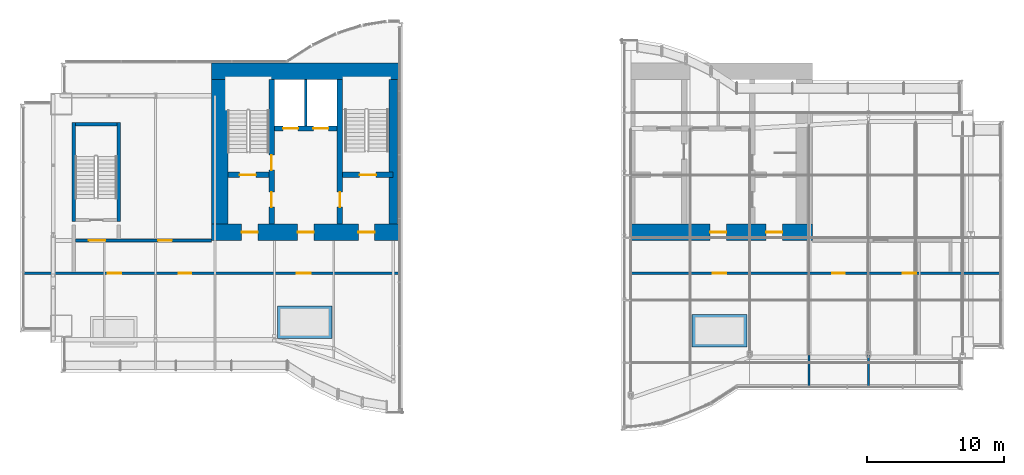
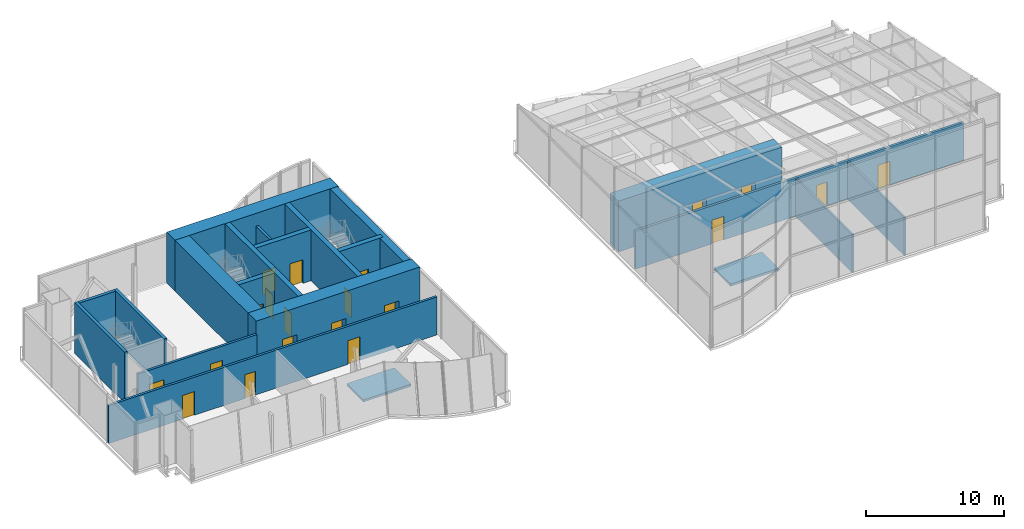
# One storey, part 13 of 17: 21 walls, 20 doors, 20 openings.
"""IFC4 building model written with IfcOpenShell, lengths in metres."""

from ifc_helpers import new_model, si_unit, direction, frame, frame_2d, origin, origin_2d, place, context, subcontext, project, spatial, rectangle, extrude, material, layer, layer_set, type_object, element, fill, save


model = new_model("IFC4")

# Units and contexts
model_context = context("Model", 3, precision=1e-05, world=origin(), true_north=direction((0.0, 1.0)))
body_context = subcontext(model_context, "Body", "Model", "MODEL_VIEW")
ifc_project = project(units=[si_unit("LENGTHUNIT", "METRE"), si_unit("AREAUNIT", "SQUARE_METRE"), si_unit("VOLUMEUNIT", "CUBIC_METRE"), si_unit("PLANEANGLEUNIT", "RADIAN"), si_unit("MASSUNIT", "GRAM", prefix="KILO")], contexts=[model_context])

# Site, building, storey
site_placement = place(None, origin())
site = spatial("IfcSite", under=ifc_project, at=site_placement, CompositionType="ELEMENT")
building_placement = place(site_placement, origin())
building = spatial("IfcBuilding", under=site, at=building_placement, Name="Bicima Exchange Tower", CompositionType="ELEMENT")
storey_placement = place(building_placement, frame((0.0, 0.0, 356.89990234375)))
storey = spatial("IfcBuildingStorey", under=building, at=storey_placement, Name="L80", CompositionType="ELEMENT", Elevation=356.89990234375)

# Wall
ifc_material_1 = material(Name="Gypsum board partition")
ifc_layer_1 = layer(ifc_material_1, 0.199951171875)
ifc_layer_set_1 = layer_set([ifc_layer_1], Name="Gypsum board partition")
wall_type_1 = type_object("IfcWallType", Name="Fire-rated gypsum partition 200 EI120", PredefinedType="PARTITIONING", material=ifc_layer_set_1)
wall_1_placement = place(storey_placement, frame((-15.10009765625, -4.60009765625, 0.0), z_axis=(0.0, 0.0, 1.0), x_axis=(0.0, 1.0, 0.0)))
element("IfcWall", 1, at=wall_1_placement, inside=storey, type_object=wall_type_1, Name="partition wall 8", PredefinedType="PARTITIONING", context=body_context, shape_type="SweptSolid", body=[
    extrude(rectangle(XDim=3.400146484375, YDim=0.199951171875, at=frame_2d((1.7001953125, 0.0))), origin(), (0.0, 0.0, 1.0), 3.368408203125),
])

# Wall, openings, doors
ifc_layer_2 = layer(ifc_material_1, 0.199951171875)
ifc_layer_set_2 = layer_set([ifc_layer_2], Name="Gypsum board partition")
wall_type_2 = type_object("IfcWallType", Name="Fire-rated gypsum partition 200 EI60", PredefinedType="PARTITIONING", material=ifc_layer_set_2)
wall_2_placement = place(storey_placement, frame((-35.7900390625, -15.39990234375, 0.0), z_axis=(0.0, 0.0, 1.0), x_axis=(1.0, 0.0, 0.0)))
wall_2 = element("IfcWall", 2, at=wall_2_placement, inside=storey, type_object=wall_type_2, Name="partition wall 1", PredefinedType="PARTITIONING", context=body_context, shape_type="SweptSolid", body=[
    extrude(rectangle(XDim=27.489990234375, YDim=0.199951171875, at=frame_2d((13.7451171875, 0.0))), origin(), (0.0, 0.0, 1.0), 3.368408203125),
])
opening_1_placement = place(wall_2_placement, frame((6.18994140625, 0.0, 0.0)))
opening_1 = element("IfcOpeningElement", 3, at=opening_1_placement, cuts=wall_2, Name="Opening L80-004", PredefinedType="OPENING", context=body_context, shape_type="SweptSolid", body=[
    extrude(rectangle(XDim=1.0, YDim=2.10009765625, at=frame_2d((0.5, 1.050048828125))), frame((0.0, 0.11181640625, 0.0), z_axis=(0.0, -1.0, 0.0), x_axis=(1.0, 0.0, 0.0)), (0.0, 0.0, 1.0), 0.223876953125),
])
opening_2_placement = place(wall_2_placement, frame((11.389892578125, 0.0, 0.0)))
opening_2 = element("IfcOpeningElement", 4, at=opening_2_placement, cuts=wall_2, Name="Opening L80-005", PredefinedType="OPENING", context=body_context, shape_type="SweptSolid", body=[
    extrude(rectangle(XDim=0.89990234375, YDim=2.10009765625, at=frame_2d((0.449951171875, 1.050048828125))), frame((0.0, 0.11181640625, 0.0), z_axis=(0.0, -1.0, 0.0), x_axis=(1.0, 0.0, 0.0)), (0.0, 0.0, 1.0), 0.223876953125),
])
opening_3_placement = place(wall_2_placement, frame((20.0400390625, 0.0, 0.0)))
opening_3 = element("IfcOpeningElement", 5, at=opening_3_placement, cuts=wall_2, Name="Opening L80-006", PredefinedType="OPENING", context=body_context, shape_type="SweptSolid", body=[
    extrude(rectangle(XDim=1.0, YDim=2.10009765625, at=frame_2d((0.5, 1.050048828125))), frame((0.0, 0.11181640625, 0.0), z_axis=(0.0, -1.0, 0.0), x_axis=(1.0, 0.0, 0.0)), (0.0, 0.0, 1.0), 0.223876953125),
])
ifc_material_2 = material(Name="Steel fire door leaf", Category="steel")
door_type_1 = type_object("IfcDoorType", Name="Door 1000 swing FD30S", OperationType="SINGLE_SWING_LEFT", PredefinedType="DOOR", material=ifc_material_2)
door_1_placement = place(opening_1_placement, frame((1.0, 0.0, 0.0), z_axis=(0.0, 0.0, 1.0), x_axis=(-1.0, 0.0, 0.0)))
door_1 = element("IfcDoor", 6, at=door_1_placement, inside=storey, type_object=door_type_1, Name="Door", OperationType="SINGLE_SWING_LEFT", OverallHeight=2.10009765625, OverallWidth=1.0, PredefinedType="DOOR", context=body_context, shape_type="SweptSolid", body=[
    extrude(rectangle(XDim=1.0, YDim=2.10009765625, at=frame_2d((0.5, 1.050048828125))), frame((0.0, 0.02490234375, 0.0), z_axis=(0.0, -1.0, 0.0), x_axis=(1.0, 0.0, 0.0)), (0.0, 0.0, 1.0), 0.050048828125),
])
fill(opening_1, door_1)
door_2_placement = place(opening_3_placement, frame((1.0, 0.0, 0.0), z_axis=(0.0, 0.0, 1.0), x_axis=(-1.0, 0.0, 0.0)))
door_2 = element("IfcDoor", 7, at=door_2_placement, inside=storey, type_object=door_type_1, Name="Door", OperationType="SINGLE_SWING_RIGHT", OverallHeight=2.10009765625, OverallWidth=1.0, PredefinedType="DOOR", context=body_context, shape_type="SweptSolid", body=[
    extrude(rectangle(XDim=1.0, YDim=2.10009765625, at=frame_2d((0.5, 1.050048828125))), frame((0.0, 0.02490234375, 0.0), z_axis=(0.0, -1.0, 0.0), x_axis=(1.0, 0.0, 0.0)), (0.0, 0.0, 1.0), 0.050048828125),
])
fill(opening_3, door_2)
door_type_2 = type_object("IfcDoorType", Name="Door 900 swing FD30S", OperationType="SINGLE_SWING_LEFT", PredefinedType="DOOR", material=ifc_material_2)
door_3_placement = place(opening_2_placement, frame((0.89990234375, 0.0, 0.0), z_axis=(0.0, 0.0, 1.0), x_axis=(-1.0, 0.0, 0.0)))
door_3 = element("IfcDoor", 8, at=door_3_placement, inside=storey, type_object=door_type_2, Name="Door", OperationType="SINGLE_SWING_RIGHT", OverallHeight=2.10009765625, OverallWidth=0.89990234375, PredefinedType="DOOR", context=body_context, shape_type="SweptSolid", body=[
    extrude(rectangle(XDim=0.89990234375, YDim=2.10009765625, at=frame_2d((0.449951171875, 1.050048828125))), frame((0.0, 0.02490234375, 0.0), z_axis=(0.0, -1.0, 0.0), x_axis=(1.0, 0.0, 0.0)), (0.0, 0.0, 1.0), 0.050048828125),
])
fill(opening_2, door_3)

wall_3_placement = place(storey_placement, frame((8.300048828125, -15.39990234375, 0.0), z_axis=(0.0, 0.0, 1.0), x_axis=(1.0, 0.0, 0.0)))
wall_3 = element("IfcWall", 9, at=wall_3_placement, inside=storey, type_object=wall_type_2, Name="partition wall 2", PredefinedType="PARTITIONING", context=body_context, shape_type="SweptSolid", body=[
    extrude(rectangle(XDim=27.489990234375, YDim=0.199951171875, at=frame_2d((13.7451171875, 0.0))), origin(), (0.0, 0.0, 1.0), 3.368408203125),
])
opening_4_placement = place(wall_3_placement, frame((6.39990234375, 0.0, 0.0)))
opening_4 = element("IfcOpeningElement", 10, at=opening_4_placement, cuts=wall_3, Name="Opening L80-008", PredefinedType="OPENING", context=body_context, shape_type="SweptSolid", body=[
    extrude(rectangle(XDim=1.0, YDim=2.10009765625, at=frame_2d((0.5, 1.050048828125))), frame((0.0, 0.11181640625, 0.0), z_axis=(0.0, -1.0, 0.0), x_axis=(1.0, 0.0, 0.0)), (0.0, 0.0, 1.0), 0.223876953125),
])
opening_5_placement = place(wall_3_placement, frame((15.14990234375, 0.0, 0.0)))
opening_5 = element("IfcOpeningElement", 11, at=opening_5_placement, cuts=wall_3, Name="Opening L80-009", PredefinedType="OPENING", context=body_context, shape_type="SweptSolid", body=[
    extrude(rectangle(XDim=0.89990234375, YDim=2.10009765625, at=frame_2d((0.449951171875, 1.050048828125))), frame((0.0, 0.11181640625, 0.0), z_axis=(0.0, -1.0, 0.0), x_axis=(1.0, 0.0, 0.0)), (0.0, 0.0, 1.0), 0.223876953125),
])
opening_6_placement = place(wall_3_placement, frame((20.300048828125, 0.0, 0.0)))
opening_6 = element("IfcOpeningElement", 12, at=opening_6_placement, cuts=wall_3, Name="Opening L80-010", PredefinedType="OPENING", context=body_context, shape_type="SweptSolid", body=[
    extrude(rectangle(XDim=1.0, YDim=2.10009765625, at=frame_2d((0.5, 1.050048828125))), frame((0.0, 0.11181640625, 0.0), z_axis=(0.0, -1.0, 0.0), x_axis=(1.0, 0.0, 0.0)), (0.0, 0.0, 1.0), 0.223876953125),
])
door_4_placement = place(opening_4_placement, frame((1.0, 0.0, 0.0), z_axis=(0.0, 0.0, 1.0), x_axis=(-1.0, 0.0, 0.0)))
door_4 = element("IfcDoor", 13, at=door_4_placement, inside=storey, type_object=door_type_1, Name="Door", OperationType="SINGLE_SWING_RIGHT", OverallHeight=2.10009765625, OverallWidth=1.0, PredefinedType="DOOR", context=body_context, shape_type="SweptSolid", body=[
    extrude(rectangle(XDim=1.0, YDim=2.10009765625, at=frame_2d((0.5, 1.050048828125))), frame((0.0, 0.02490234375, 0.0), z_axis=(0.0, -1.0, 0.0), x_axis=(1.0, 0.0, 0.0)), (0.0, 0.0, 1.0), 0.050048828125),
])
fill(opening_4, door_4)
door_5_placement = place(opening_6_placement, frame((1.0, 0.0, 0.0), z_axis=(0.0, 0.0, 1.0), x_axis=(-1.0, 0.0, 0.0)))
door_5 = element("IfcDoor", 14, at=door_5_placement, inside=storey, type_object=door_type_1, Name="Door", OperationType="SINGLE_SWING_LEFT", OverallHeight=2.10009765625, OverallWidth=1.0, PredefinedType="DOOR", context=body_context, shape_type="SweptSolid", body=[
    extrude(rectangle(XDim=1.0, YDim=2.10009765625, at=frame_2d((0.5, 1.050048828125))), frame((0.0, 0.02490234375, 0.0), z_axis=(0.0, -1.0, 0.0), x_axis=(1.0, 0.0, 0.0)), (0.0, 0.0, 1.0), 0.050048828125),
])
fill(opening_6, door_5)
door_6_placement = place(opening_5_placement, frame((0.89990234375, 0.0, 0.0), z_axis=(0.0, 0.0, 1.0), x_axis=(-1.0, 0.0, 0.0)))
door_6 = element("IfcDoor", 15, at=door_6_placement, inside=storey, type_object=door_type_2, Name="Door", OperationType="SINGLE_SWING_RIGHT", OverallHeight=2.10009765625, OverallWidth=0.89990234375, PredefinedType="DOOR", context=body_context, shape_type="SweptSolid", body=[
    extrude(rectangle(XDim=0.89990234375, YDim=2.10009765625, at=frame_2d((0.449951171875, 1.050048828125))), frame((0.0, 0.02490234375, 0.0), z_axis=(0.0, -1.0, 0.0), x_axis=(1.0, 0.0, 0.0)), (0.0, 0.0, 1.0), 0.050048828125),
])
fill(opening_5, door_6)

wall_4_placement = place(storey_placement, frame((-31.97509765625, -13.0, 0.0), z_axis=(0.0, 0.0, 1.0), x_axis=(1.0, 0.0, 0.0)))
wall_4 = element("IfcWall", 16, at=wall_4_placement, inside=storey, type_object=wall_type_2, Name="partition wall 3", PredefinedType="PARTITIONING", context=body_context, shape_type="SweptSolid", body=[
    extrude(rectangle(XDim=9.97509765625, YDim=0.199951171875, at=frame_2d((4.987548828125, 0.0))), origin(), (0.0, 0.0, 1.0), 3.368408203125),
])
opening_7_placement = place(wall_4_placement, frame((1.0, 0.0, 0.0)))
opening_7 = element("IfcOpeningElement", 17, at=opening_7_placement, cuts=wall_4, Name="Opening L80-001", PredefinedType="OPENING", context=body_context, shape_type="SweptSolid", body=[
    extrude(rectangle(XDim=1.199951171875, YDim=2.10009765625, at=frame_2d((0.60009765625, 1.050048828125))), frame((0.0, 0.11181640625, 0.0), z_axis=(0.0, -1.0, 0.0), x_axis=(1.0, 0.0, 0.0)), (0.0, 0.0, 1.0), 0.223876953125),
])
opening_8_placement = place(wall_4_placement, frame((6.074951171875, 0.0, 0.0)))
opening_8 = element("IfcOpeningElement", 18, at=opening_8_placement, cuts=wall_4, Name="Opening L80-003", PredefinedType="OPENING", context=body_context, shape_type="SweptSolid", body=[
    extrude(rectangle(XDim=1.0, YDim=2.10009765625, at=frame_2d((0.5, 1.050048828125))), frame((0.0, 0.11181640625, 0.0), z_axis=(0.0, -1.0, 0.0), x_axis=(1.0, 0.0, 0.0)), (0.0, 0.0, 1.0), 0.223876953125),
])
door_7_placement = place(opening_8_placement, origin())
door_7 = element("IfcDoor", 19, at=door_7_placement, inside=storey, type_object=door_type_1, Name="Door", OperationType="SINGLE_SWING_RIGHT", OverallHeight=2.10009765625, OverallWidth=1.0, PredefinedType="DOOR", context=body_context, shape_type="SweptSolid", body=[
    extrude(rectangle(XDim=1.0, YDim=2.10009765625, at=frame_2d((0.5, 1.050048828125))), frame((0.0, 0.02490234375, 0.0), z_axis=(0.0, -1.0, 0.0), x_axis=(1.0, 0.0, 0.0)), (0.0, 0.0, 1.0), 0.050048828125),
])
fill(opening_8, door_7)
door_type_3 = type_object("IfcDoorType", Name="Door 1200 swing FD30S", OperationType="SINGLE_SWING_LEFT", PredefinedType="DOOR", material=ifc_material_2)
door_8_placement = place(opening_7_placement, origin())
door_8 = element("IfcDoor", 20, at=door_8_placement, inside=storey, type_object=door_type_3, Name="Door", OperationType="SINGLE_SWING_LEFT", OverallHeight=2.10009765625, OverallWidth=1.199951171875, PredefinedType="DOOR", context=body_context, shape_type="SweptSolid", body=[
    extrude(rectangle(XDim=1.199951171875, YDim=2.10009765625, at=frame_2d((0.60009765625, 1.050048828125))), frame((0.0, 0.02490234375, 0.0), z_axis=(0.0, -1.0, 0.0), x_axis=(1.0, 0.0, 0.0)), (0.0, 0.0, 1.0), 0.050048828125),
])
fill(opening_7, door_8)

# Walls
ifc_layer_3 = layer(ifc_material_1, 0.14990234375)
ifc_layer_set_3 = layer_set([ifc_layer_3], Name="Gypsum board partition")
wall_type_3 = type_object("IfcWallType", Name="Gypsum partition 150", PredefinedType="PARTITIONING", material=ifc_layer_set_3)
for number, where, z_axis, x_axis, name in (
    (21, (21.75, -23.72998046875, 0.0), (0.0, 0.0, 1.0), (0.0, 1.0, 0.0), "partition wall 11"),
    (22, (26.10009765625, -23.72998046875, 0.0), (0.0, 0.0, 1.0), (0.0, 1.0, 0.0), "partition wall 12"),
):
    element("IfcWall", number, at=place(storey_placement, frame(where, z_axis=z_axis, x_axis=x_axis)), inside=storey, type_object=wall_type_3, Name=name, PredefinedType="PARTITIONING", context=body_context, shape_type="SweptSolid", body=[
        extrude(rectangle(XDim=8.22998046875, YDim=0.14990234375, at=frame_2d((4.114990234375, 0.0))), origin(), (0.0, 0.0, 1.0), 3.368408203125),
    ])
ifc_material_3 = material(Name="Concrete C40/50", Category="concrete")
ifc_layer_4 = layer(ifc_material_3, 0.2)
ifc_layer_set_4 = layer_set([ifc_layer_4], Name="Concrete C40/50")
wall_type_4 = type_object("IfcWallType", Name="Plant plinth 200", PredefinedType="USERDEFINED", material=ifc_layer_set_4)
for number, where, z_axis, x_axis, name in (
    (23, (-15.18505859375, -18.985107421875, 0.0), (0.0, 0.0, 1.0), (1.0, 0.0, 0.0), "Plant plinth Water treatment skid"),
    (24, (15.18994140625, -19.614990234375, 0.0), (0.0, 0.0, 1.0), (1.0, 0.0, 0.0), "Plant plinth Water treatment skid"),
):
    element("IfcWall", number, at=place(storey_placement, frame(where, z_axis=z_axis, x_axis=x_axis)), inside=storey, type_object=wall_type_4, Name=name, ObjectType="PLINTH", PredefinedType="USERDEFINED", context=body_context, shape_type="SweptSolid", body=[
        extrude(rectangle(XDim=4.0, YDim=2.39990234375, at=origin_2d()), origin(), (0.0, 0.0, 1.0), 0.199951171875),
    ])
ifc_layer_5 = layer(ifc_material_3, 1.199951171875)
ifc_layer_set_5 = layer_set([ifc_layer_5], Name="Concrete C40/50")
wall_type_5 = type_object("IfcWallType", Name="RC core wall 1200 C40/50", PredefinedType="SHEAR", material=ifc_layer_set_5)
wall_5_placement = place(storey_placement, frame((-22.0, -0.60009765625, 0.0), z_axis=(0.0, 0.0, 1.0), x_axis=(1.0, 0.0, 0.0)))
element("IfcWall", 25, at=wall_5_placement, inside=storey, type_object=wall_type_5, Name="Core wall north-W", PredefinedType="SHEAR", context=body_context, shape_type="SweptSolid", body=[
    extrude(rectangle(XDim=13.699951171875, YDim=1.199951171875, at=frame_2d((6.85009765625, 0.0))), origin(), (0.0, 0.0, 1.0), 4.5),
])

# Wall, openings, doors
wall_6_placement = place(storey_placement, frame((-22.0, -12.39990234375, 0.0), z_axis=(0.0, 0.0, 1.0), x_axis=(1.0, 0.0, 0.0)))
wall_6 = element("IfcWall", 26, at=wall_6_placement, inside=storey, type_object=wall_type_5, Name="Core wall south-W", PredefinedType="SHEAR", context=body_context, shape_type="SweptSolid", body=[
    extrude(rectangle(XDim=13.699951171875, YDim=1.199951171875, at=frame_2d((6.85009765625, 0.0))), origin(), (0.0, 0.0, 1.0), 4.5),
])
opening_9_placement = place(wall_6_placement, frame((2.199951171875, 0.0, 0.0)))
opening_9 = element("IfcOpeningElement", 27, at=opening_9_placement, cuts=wall_6, Name="Opening L80-C12", PredefinedType="OPENING", context=body_context, shape_type="SweptSolid", body=[
    extrude(rectangle(XDim=1.199951171875, YDim=2.10009765625, at=frame_2d((0.60009765625, 1.050048828125))), frame((0.0, 0.61181640625, 0.0), z_axis=(0.0, -1.0, 0.0), x_axis=(1.0, 0.0, 0.0)), (0.0, 0.0, 1.0), 1.223876953125),
])
opening_10_placement = place(wall_6_placement, frame((10.75, 0.0, 0.0)))
opening_10 = element("IfcOpeningElement", 28, at=opening_10_placement, cuts=wall_6, Name="Opening L80-C14", PredefinedType="OPENING", context=body_context, shape_type="SweptSolid", body=[
    extrude(rectangle(XDim=1.199951171875, YDim=2.10009765625, at=frame_2d((0.60009765625, 1.050048828125))), frame((0.0, 0.61181640625, 0.0), z_axis=(0.0, -1.0, 0.0), x_axis=(1.0, 0.0, 0.0)), (0.0, 0.0, 1.0), 1.223876953125),
])
opening_11_placement = place(wall_6_placement, frame((6.300048828125, 0.0, 0.0)))
opening_11 = element("IfcOpeningElement", 29, at=opening_11_placement, cuts=wall_6, Name="Opening L80-C15", PredefinedType="OPENING", context=body_context, shape_type="SweptSolid", body=[
    extrude(rectangle(XDim=1.199951171875, YDim=2.10009765625, at=frame_2d((0.60009765625, 1.050048828125))), frame((0.0, 0.61181640625, 0.0), z_axis=(0.0, -1.0, 0.0), x_axis=(1.0, 0.0, 0.0)), (0.0, 0.0, 1.0), 1.223876953125),
])
door_type_4 = type_object("IfcDoorType", Name="Door 1200 swing FD60S", OperationType="SINGLE_SWING_LEFT", PredefinedType="DOOR", material=ifc_material_2)
door_9_placement = place(opening_9_placement, frame((1.199951171875, 0.0, 0.0), z_axis=(0.0, 0.0, 1.0), x_axis=(-1.0, 0.0, 0.0)))
door_9 = element("IfcDoor", 30, at=door_9_placement, inside=storey, type_object=door_type_4, Name="Core door", OperationType="SINGLE_SWING_RIGHT", OverallHeight=2.10009765625, OverallWidth=1.199951171875, PredefinedType="DOOR", context=body_context, shape_type="SweptSolid", body=[
    extrude(rectangle(XDim=1.199951171875, YDim=2.10009765625, at=frame_2d((0.60009765625, 1.050048828125))), frame((0.0, 0.02490234375, 0.0), z_axis=(0.0, -1.0, 0.0), x_axis=(1.0, 0.0, 0.0)), (0.0, 0.0, 1.0), 0.050048828125),
])
fill(opening_9, door_9)
door_10_placement = place(opening_10_placement, frame((1.199951171875, 0.0, 0.0), z_axis=(0.0, 0.0, 1.0), x_axis=(-1.0, 0.0, 0.0)))
door_10 = element("IfcDoor", 31, at=door_10_placement, inside=storey, type_object=door_type_4, Name="Core door", OperationType="SINGLE_SWING_RIGHT", OverallHeight=2.10009765625, OverallWidth=1.199951171875, PredefinedType="DOOR", context=body_context, shape_type="SweptSolid", body=[
    extrude(rectangle(XDim=1.199951171875, YDim=2.10009765625, at=frame_2d((0.60009765625, 1.050048828125))), frame((0.0, 0.02490234375, 0.0), z_axis=(0.0, -1.0, 0.0), x_axis=(1.0, 0.0, 0.0)), (0.0, 0.0, 1.0), 0.050048828125),
])
fill(opening_10, door_10)
door_11_placement = place(opening_11_placement, frame((1.199951171875, 0.0, 0.0), z_axis=(0.0, 0.0, 1.0), x_axis=(-1.0, 0.0, 0.0)))
door_11 = element("IfcDoor", 32, at=door_11_placement, inside=storey, type_object=door_type_4, Name="Core door", OperationType="SINGLE_SWING_RIGHT", OverallHeight=2.10009765625, OverallWidth=1.199951171875, PredefinedType="DOOR", context=body_context, shape_type="SweptSolid", body=[
    extrude(rectangle(XDim=1.199951171875, YDim=2.10009765625, at=frame_2d((0.60009765625, 1.050048828125))), frame((0.0, 0.02490234375, 0.0), z_axis=(0.0, -1.0, 0.0), x_axis=(1.0, 0.0, 0.0)), (0.0, 0.0, 1.0), 0.050048828125),
])
fill(opening_11, door_11)

# Wall
wall_7_placement = place(storey_placement, frame((-21.39990234375, -11.800048828125, 0.0), z_axis=(0.0, 0.0, 1.0), x_axis=(0.0, 1.0, 0.0)))
element("IfcWall", 33, at=wall_7_placement, inside=storey, type_object=wall_type_5, Name="Core wall outer-W", PredefinedType="SHEAR", context=body_context, shape_type="SweptSolid", body=[
    extrude(rectangle(XDim=10.60009765625, YDim=1.199951171875, at=frame_2d((5.300048828125, 0.0))), origin(), (0.0, 0.0, 1.0), 4.5),
])

# Wall, openings, doors
wall_8_placement = place(storey_placement, frame((8.300048828125, -12.39990234375, 0.0), z_axis=(0.0, 0.0, 1.0), x_axis=(1.0, 0.0, 0.0)))
wall_8 = element("IfcWall", 34, at=wall_8_placement, inside=storey, type_object=wall_type_5, Name="Core wall south-E", PredefinedType="SHEAR", context=body_context, shape_type="SweptSolid", body=[
    extrude(rectangle(XDim=13.699951171875, YDim=1.199951171875, at=frame_2d((6.85009765625, 0.0))), origin(), (0.0, 0.0, 1.0), 4.5),
])
opening_12_placement = place(wall_8_placement, frame((10.300048828125, 0.0, 0.0)))
opening_12 = element("IfcOpeningElement", 35, at=opening_12_placement, cuts=wall_8, Name="Opening L80-C13", PredefinedType="OPENING", context=body_context, shape_type="SweptSolid", body=[
    extrude(rectangle(XDim=1.199951171875, YDim=2.10009765625, at=frame_2d((0.60009765625, 1.050048828125))), frame((0.0, 0.61181640625, 0.0), z_axis=(0.0, -1.0, 0.0), x_axis=(1.0, 0.0, 0.0)), (0.0, 0.0, 1.0), 1.223876953125),
])
opening_13_placement = place(wall_8_placement, frame((6.199951171875, 0.0, 0.0)))
opening_13 = element("IfcOpeningElement", 36, at=opening_13_placement, cuts=wall_8, Name="Opening L80-C16", PredefinedType="OPENING", context=body_context, shape_type="SweptSolid", body=[
    extrude(rectangle(XDim=1.199951171875, YDim=2.10009765625, at=frame_2d((0.60009765625, 1.050048828125))), frame((0.0, 0.61181640625, 0.0), z_axis=(0.0, -1.0, 0.0), x_axis=(1.0, 0.0, 0.0)), (0.0, 0.0, 1.0), 1.223876953125),
])
door_12_placement = place(opening_12_placement, frame((1.199951171875, 0.0, 0.0), z_axis=(0.0, 0.0, 1.0), x_axis=(-1.0, 0.0, 0.0)))
door_12 = element("IfcDoor", 37, at=door_12_placement, inside=storey, type_object=door_type_4, Name="Core door", OperationType="SINGLE_SWING_RIGHT", OverallHeight=2.10009765625, OverallWidth=1.199951171875, PredefinedType="DOOR", context=body_context, shape_type="SweptSolid", body=[
    extrude(rectangle(XDim=1.199951171875, YDim=2.10009765625, at=frame_2d((0.60009765625, 1.050048828125))), frame((0.0, 0.02490234375, 0.0), z_axis=(0.0, -1.0, 0.0), x_axis=(1.0, 0.0, 0.0)), (0.0, 0.0, 1.0), 0.050048828125),
])
fill(opening_12, door_12)
door_13_placement = place(opening_13_placement, frame((1.199951171875, 0.0, 0.0), z_axis=(0.0, 0.0, 1.0), x_axis=(-1.0, 0.0, 0.0)))
door_13 = element("IfcDoor", 38, at=door_13_placement, inside=storey, type_object=door_type_4, Name="Core door", OperationType="SINGLE_SWING_RIGHT", OverallHeight=2.10009765625, OverallWidth=1.199951171875, PredefinedType="DOOR", context=body_context, shape_type="SweptSolid", body=[
    extrude(rectangle(XDim=1.199951171875, YDim=2.10009765625, at=frame_2d((0.60009765625, 1.050048828125))), frame((0.0, 0.02490234375, 0.0), z_axis=(0.0, -1.0, 0.0), x_axis=(1.0, 0.0, 0.0)), (0.0, 0.0, 1.0), 0.050048828125),
])
fill(opening_13, door_13)

ifc_layer_6 = layer(ifc_material_3, 0.39990234375)
ifc_layer_set_6 = layer_set([ifc_layer_6], Name="Concrete C40/50")
wall_type_6 = type_object("IfcWallType", Name="RC core wall 400 C40/50", PredefinedType="SHEAR", material=ifc_layer_set_6)
wall_9_placement = place(storey_placement, frame((-17.39990234375, -4.800048828125, 0.0), z_axis=(0.0, 0.0, 1.0), x_axis=(1.0, 0.0, 0.0)))
wall_9 = element("IfcWall", 39, at=wall_9_placement, inside=storey, type_object=wall_type_6, Name="shear wall 5", PredefinedType="SHEAR", context=body_context, shape_type="SweptSolid", body=[
    extrude(rectangle(XDim=4.599853515625, YDim=0.39990234375, at=frame_2d((2.2998046875, 0.0))), origin(), (0.0, 0.0, 1.0), 4.5),
])
opening_14_placement = place(wall_9_placement, frame((0.64990234375, 0.0, 0.0)))
opening_14 = element("IfcOpeningElement", 40, at=opening_14_placement, cuts=wall_9, Name="Opening LD-FF1-L80", PredefinedType="OPENING", context=body_context, shape_type="SweptSolid", body=[
    extrude(rectangle(XDim=1.10009765625, YDim=2.10009765625, at=frame_2d((0.550048828125, 1.050048828125))), frame((0.0, 0.2119140625, 0.0), z_axis=(0.0, -1.0, 0.0), x_axis=(1.0, 0.0, 0.0)), (0.0, 0.0, 1.0), 0.423828125),
])
opening_15_placement = place(wall_9_placement, frame((2.85009765625, 0.0, 0.0)))
opening_15 = element("IfcOpeningElement", 41, at=opening_15_placement, cuts=wall_9, Name="Opening LD-FF3-L80", PredefinedType="OPENING", context=body_context, shape_type="SweptSolid", body=[
    extrude(rectangle(XDim=1.10009765625, YDim=2.10009765625, at=frame_2d((0.550048828125, 1.050048828125))), frame((0.0, 0.2119140625, 0.0), z_axis=(0.0, -1.0, 0.0), x_axis=(1.0, 0.0, 0.0)), (0.0, 0.0, 1.0), 0.423828125),
])
ifc_material_4 = material(Name="Stainless steel", Category="steel")
door_type_5 = type_object("IfcDoorType", Name="Lift landing door 1100 sliding", OperationType="DOUBLE_DOOR_SLIDING", PredefinedType="DOOR", material=ifc_material_4)
door_14_placement = place(opening_14_placement, origin())
door_14 = element("IfcDoor", 42, at=door_14_placement, inside=storey, type_object=door_type_5, Name="Lift landing door FF1", OperationType="DOUBLE_DOOR_SLIDING", OverallHeight=2.10009765625, OverallWidth=1.10009765625, PredefinedType="DOOR", context=body_context, shape_type="SweptSolid", body=[
    extrude(rectangle(XDim=1.10009765625, YDim=2.10009765625, at=frame_2d((0.550048828125, 1.050048828125))), frame((0.0, 0.02490234375, 0.0), z_axis=(0.0, -1.0, 0.0), x_axis=(1.0, 0.0, 0.0)), (0.0, 0.0, 1.0), 0.050048828125),
])
fill(opening_14, door_14)
door_15_placement = place(opening_15_placement, origin())
door_15 = element("IfcDoor", 43, at=door_15_placement, inside=storey, type_object=door_type_5, Name="Lift landing door FF3", OperationType="DOUBLE_DOOR_SLIDING", OverallHeight=2.10009765625, OverallWidth=1.10009765625, PredefinedType="DOOR", context=body_context, shape_type="SweptSolid", body=[
    extrude(rectangle(XDim=1.10009765625, YDim=2.10009765625, at=frame_2d((0.550048828125, 1.050048828125))), frame((0.0, 0.02490234375, 0.0), z_axis=(0.0, -1.0, 0.0), x_axis=(1.0, 0.0, 0.0)), (0.0, 0.0, 1.0), 0.050048828125),
])
fill(opening_15, door_15)

# Wall, opening, door
ifc_material_5 = material(Name="Concrete C50/60", Category="concrete")
ifc_layer_7 = layer(ifc_material_5, 0.39990234375)
ifc_layer_set_7 = layer_set([ifc_layer_7], Name="Concrete C50/60")
wall_type_7 = type_object("IfcWallType", Name="RC core wall 400 C50/60", PredefinedType="SHEAR", material=ifc_layer_set_7)
wall_10_placement = place(storey_placement, frame((-20.800048828125, -8.199951171875, 0.0), z_axis=(0.0, 0.0, 1.0), x_axis=(1.0, 0.0, 0.0)))
wall_10 = element("IfcWall", 44, at=wall_10_placement, inside=storey, type_object=wall_type_7, Name="stair wall 1", PredefinedType="SHEAR", context=body_context, shape_type="SweptSolid", body=[
    extrude(rectangle(XDim=3.0, YDim=0.39990234375, at=frame_2d((1.5, 0.0))), origin(), (0.0, 0.0, 1.0), 4.5),
])
opening_16_placement = place(wall_10_placement, frame((0.85009765625, 0.0, 0.0)))
opening_16 = element("IfcOpeningElement", 45, at=opening_16_placement, cuts=wall_10, Name="Opening L80-C01", PredefinedType="OPENING", context=body_context, shape_type="SweptSolid", body=[
    extrude(rectangle(XDim=1.199951171875, YDim=2.10009765625, at=frame_2d((0.60009765625, 1.050048828125))), frame((0.0, 0.2119140625, 0.0), z_axis=(0.0, -1.0, 0.0), x_axis=(1.0, 0.0, 0.0)), (0.0, 0.0, 1.0), 0.423828125),
])
door_16_placement = place(opening_16_placement, origin())
door_16 = element("IfcDoor", 46, at=door_16_placement, inside=storey, type_object=door_type_4, Name="Core door", OperationType="SINGLE_SWING_LEFT", OverallHeight=2.10009765625, OverallWidth=1.199951171875, PredefinedType="DOOR", context=body_context, shape_type="SweptSolid", body=[
    extrude(rectangle(XDim=1.199951171875, YDim=2.10009765625, at=frame_2d((0.60009765625, 1.050048828125))), frame((0.0, 0.02490234375, 0.0), z_axis=(0.0, -1.0, 0.0), x_axis=(1.0, 0.0, 0.0)), (0.0, 0.0, 1.0), 0.050048828125),
])
fill(opening_16, door_16)

wall_11_placement = place(storey_placement, frame((-12.39990234375, -8.199951171875, 0.0), z_axis=(0.0, 0.0, 1.0), x_axis=(1.0, 0.0, 0.0)))
wall_11 = element("IfcWall", 47, at=wall_11_placement, inside=storey, type_object=wall_type_7, Name="stair wall 2", PredefinedType="SHEAR", context=body_context, shape_type="SweptSolid", body=[
    extrude(rectangle(XDim=3.699951171875, YDim=0.39990234375, at=frame_2d((1.85009765625, 0.0))), origin(), (0.0, 0.0, 1.0), 4.5),
])
opening_17_placement = place(wall_11_placement, frame((1.25, 0.0, 0.0)))
opening_17 = element("IfcOpeningElement", 48, at=opening_17_placement, cuts=wall_11, Name="Opening L80-C05", PredefinedType="OPENING", context=body_context, shape_type="SweptSolid", body=[
    extrude(rectangle(XDim=1.199951171875, YDim=2.10009765625, at=frame_2d((0.60009765625, 1.050048828125))), frame((0.0, 0.2119140625, 0.0), z_axis=(0.0, -1.0, 0.0), x_axis=(1.0, 0.0, 0.0)), (0.0, 0.0, 1.0), 0.423828125),
])
door_17_placement = place(opening_17_placement, origin())
door_17 = element("IfcDoor", 49, at=door_17_placement, inside=storey, type_object=door_type_4, Name="Core door", OperationType="SINGLE_SWING_LEFT", OverallHeight=2.10009765625, OverallWidth=1.199951171875, PredefinedType="DOOR", context=body_context, shape_type="SweptSolid", body=[
    extrude(rectangle(XDim=1.199951171875, YDim=2.10009765625, at=frame_2d((0.60009765625, 1.050048828125))), frame((0.0, 0.02490234375, 0.0), z_axis=(0.0, -1.0, 0.0), x_axis=(1.0, 0.0, 0.0)), (0.0, 0.0, 1.0), 0.050048828125),
])
fill(opening_17, door_17)

# Wall, openings, doors
wall_12_placement = place(storey_placement, frame((-17.60009765625, -11.800048828125, 0.0), z_axis=(0.0, 0.0, 1.0), x_axis=(0.0, 1.0, 0.0)))
wall_12 = element("IfcWall", 50, at=wall_12_placement, inside=storey, type_object=wall_type_7, Name="stair wall 7", PredefinedType="SHEAR", context=body_context, shape_type="SweptSolid", body=[
    extrude(rectangle(XDim=10.60009765625, YDim=0.39990234375, at=frame_2d((5.300048828125, 0.0))), origin(), (0.0, 0.0, 1.0), 4.5),
])
opening_18_placement = place(wall_12_placement, frame((1.25, 0.0, 0.0)))
opening_18 = element("IfcOpeningElement", 51, at=opening_18_placement, cuts=wall_12, Name="Opening L80-C02", PredefinedType="OPENING", context=body_context, shape_type="SweptSolid", body=[
    extrude(rectangle(XDim=1.10009765625, YDim=2.10009765625, at=frame_2d((0.550048828125, 1.050048828125))), frame((0.0, 0.2119140625, 0.0), z_axis=(0.0, -1.0, 0.0), x_axis=(1.0, 0.0, 0.0)), (0.0, 0.0, 1.0), 0.423828125),
])
opening_19_placement = place(wall_12_placement, frame((3.949951171875, 0.0, 0.0)))
opening_19 = element("IfcOpeningElement", 52, at=opening_19_placement, cuts=wall_12, Name="Opening L80-C07", PredefinedType="OPENING", context=body_context, shape_type="SweptSolid", body=[
    extrude(rectangle(XDim=1.10009765625, YDim=2.10009765625, at=frame_2d((0.550048828125, 1.050048828125))), frame((0.0, 0.2119140625, 0.0), z_axis=(0.0, -1.0, 0.0), x_axis=(1.0, 0.0, 0.0)), (0.0, 0.0, 1.0), 0.423828125),
])
door_type_6 = type_object("IfcDoorType", Name="Door 1100 swing FD60S", OperationType="SINGLE_SWING_LEFT", PredefinedType="DOOR", material=ifc_material_2)
door_18_placement = place(opening_18_placement, frame((1.10009765625, 0.0, 0.0), z_axis=(0.0, 0.0, 1.0), x_axis=(-1.0, 0.0, 0.0)))
door_18 = element("IfcDoor", 53, at=door_18_placement, inside=storey, type_object=door_type_6, Name="Core door", OperationType="SINGLE_SWING_LEFT", OverallHeight=2.10009765625, OverallWidth=1.10009765625, PredefinedType="DOOR", context=body_context, shape_type="SweptSolid", body=[
    extrude(rectangle(XDim=1.10009765625, YDim=2.10009765625, at=frame_2d((0.550048828125, 1.050048828125))), frame((0.0, 0.02490234375, 0.0), z_axis=(0.0, -1.0, 0.0), x_axis=(1.0, 0.0, 0.0)), (0.0, 0.0, 1.0), 0.050048828125),
])
fill(opening_18, door_18)
door_19_placement = place(opening_19_placement, frame((1.10009765625, 0.0, 0.0), z_axis=(0.0, 0.0, 1.0), x_axis=(-1.0, 0.0, 0.0)))
door_19 = element("IfcDoor", 54, at=door_19_placement, inside=storey, type_object=door_type_6, Name="Core door", OperationType="SINGLE_SWING_RIGHT", OverallHeight=2.10009765625, OverallWidth=1.10009765625, PredefinedType="DOOR", context=body_context, shape_type="SweptSolid", body=[
    extrude(rectangle(XDim=1.10009765625, YDim=2.10009765625, at=frame_2d((0.550048828125, 1.050048828125))), frame((0.0, 0.02490234375, 0.0), z_axis=(0.0, -1.0, 0.0), x_axis=(1.0, 0.0, 0.0)), (0.0, 0.0, 1.0), 0.050048828125),
])
fill(opening_19, door_19)

# Wall, opening, door
wall_13_placement = place(storey_placement, frame((-12.60009765625, -11.800048828125, 0.0), z_axis=(0.0, 0.0, 1.0), x_axis=(0.0, 1.0, 0.0)))
wall_13 = element("IfcWall", 55, at=wall_13_placement, inside=storey, type_object=wall_type_7, Name="stair wall 9", PredefinedType="SHEAR", context=body_context, shape_type="SweptSolid", body=[
    extrude(rectangle(XDim=10.60009765625, YDim=0.39990234375, at=frame_2d((5.300048828125, 0.0))), origin(), (0.0, 0.0, 1.0), 4.5),
])
opening_20_placement = place(wall_13_placement, frame((1.25, 0.0, 0.0)))
opening_20 = element("IfcOpeningElement", 56, at=opening_20_placement, cuts=wall_13, Name="Opening L80-C06", PredefinedType="OPENING", context=body_context, shape_type="SweptSolid", body=[
    extrude(rectangle(XDim=1.10009765625, YDim=2.10009765625, at=frame_2d((0.550048828125, 1.050048828125))), frame((0.0, 0.2119140625, 0.0), z_axis=(0.0, -1.0, 0.0), x_axis=(1.0, 0.0, 0.0)), (0.0, 0.0, 1.0), 0.423828125),
])
door_20_placement = place(opening_20_placement, origin())
door_20 = element("IfcDoor", 57, at=door_20_placement, inside=storey, type_object=door_type_6, Name="Core door", OperationType="SINGLE_SWING_RIGHT", OverallHeight=2.10009765625, OverallWidth=1.10009765625, PredefinedType="DOOR", context=body_context, shape_type="SweptSolid", body=[
    extrude(rectangle(XDim=1.10009765625, YDim=2.10009765625, at=frame_2d((0.550048828125, 1.050048828125))), frame((0.0, 0.02490234375, 0.0), z_axis=(0.0, -1.0, 0.0), x_axis=(1.0, 0.0, 0.0)), (0.0, 0.0, 1.0), 0.050048828125),
])
fill(opening_20, door_20)

# Walls
ifc_layer_8 = layer(ifc_material_3, 0.60009765625)
ifc_layer_set_8 = layer_set([ifc_layer_8], Name="Concrete C40/50")
wall_type_8 = type_object("IfcWallType", Name="RC core wall 600 C40/50", PredefinedType="SHEAR", material=ifc_layer_set_8)
wall_14_placement = place(storey_placement, frame((-8.699951171875, -11.800048828125, 0.0), z_axis=(0.0, 0.0, 1.0), x_axis=(0.0, 1.0, 0.0)))
element("IfcWall", 58, at=wall_14_placement, inside=storey, type_object=wall_type_8, Name="Core wall close-W", PredefinedType="SHEAR", context=body_context, shape_type="SweptSolid", body=[
    extrude(rectangle(XDim=10.60009765625, YDim=0.60009765625, at=frame_2d((5.300048828125, 0.0))), origin(), (0.0, 0.0, 1.0), 4.5),
])
ifc_layer_9 = layer(ifc_material_5, 0.25)
ifc_layer_set_9 = layer_set([ifc_layer_9], Name="Concrete C50/60")
wall_type_9 = type_object("IfcWallType", Name="RC stair enclosure wall 250 C50/60", PredefinedType="SHEAR", material=ifc_layer_set_9)
for number, where, z_axis, x_axis, name in (
    (59, (-32.10009765625, -11.625, 0.0), (0.0, 0.0, 1.0), (0.0, 1.0, 0.0), "West end exit stair wall W"),
    (60, (-28.800048828125, -11.625, 0.0), (0.0, 0.0, 1.0), (0.0, 1.0, 0.0), "West end exit stair wall E"),
):
    element("IfcWall", number, at=place(storey_placement, frame(where, z_axis=z_axis, x_axis=x_axis)), inside=storey, type_object=wall_type_9, Name=name, PredefinedType="SHEAR", context=body_context, shape_type="SweptSolid", body=[
        extrude(rectangle(XDim=7.25, YDim=0.25, at=frame_2d((3.625, 0.0))), origin(), (0.0, 0.0, 1.0), 4.5),
    ])
wall_15_placement = place(storey_placement, frame((-31.97509765625, -4.5, 0.0), z_axis=(0.0, 0.0, 1.0), x_axis=(1.0, 0.0, 0.0)))
element("IfcWall", 61, at=wall_15_placement, inside=storey, type_object=wall_type_9, Name="West end exit stair wall N", PredefinedType="SHEAR", context=body_context, shape_type="SweptSolid", body=[
    extrude(rectangle(XDim=3.050048828125, YDim=0.25, at=frame_2d((1.52490234375, 0.0))), origin(), (0.0, 0.0, 1.0), 4.5),
])

save(model, "model.ifc")
